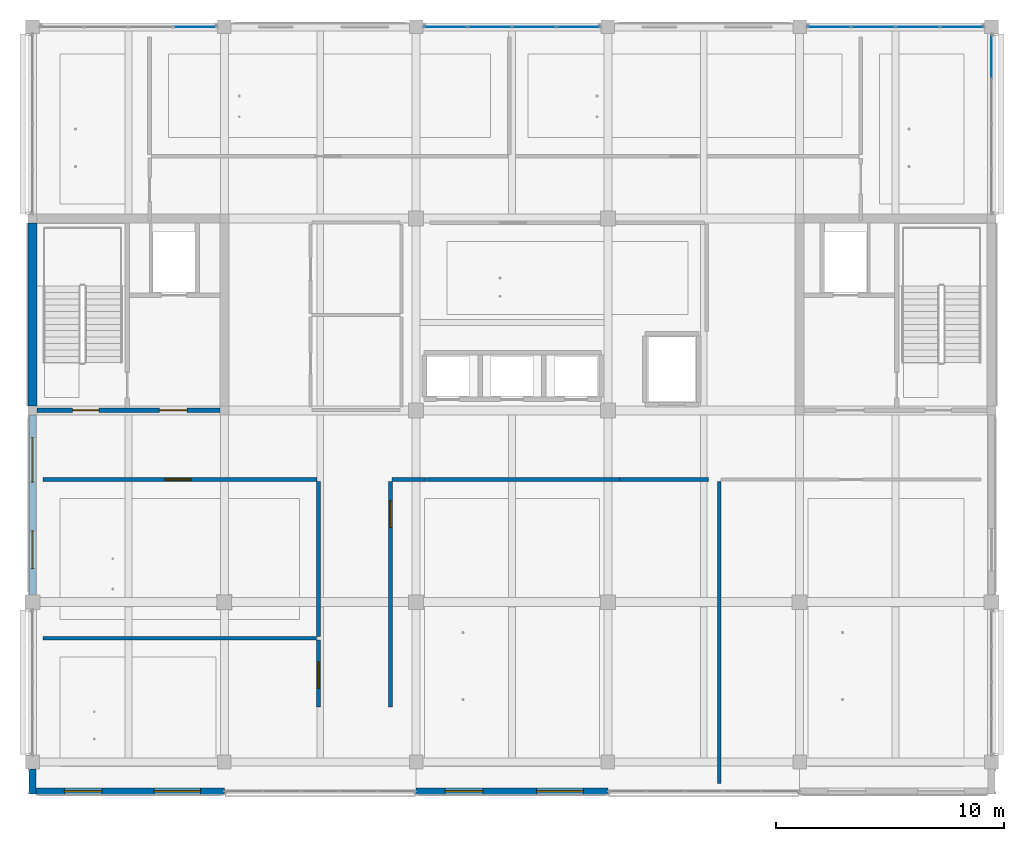
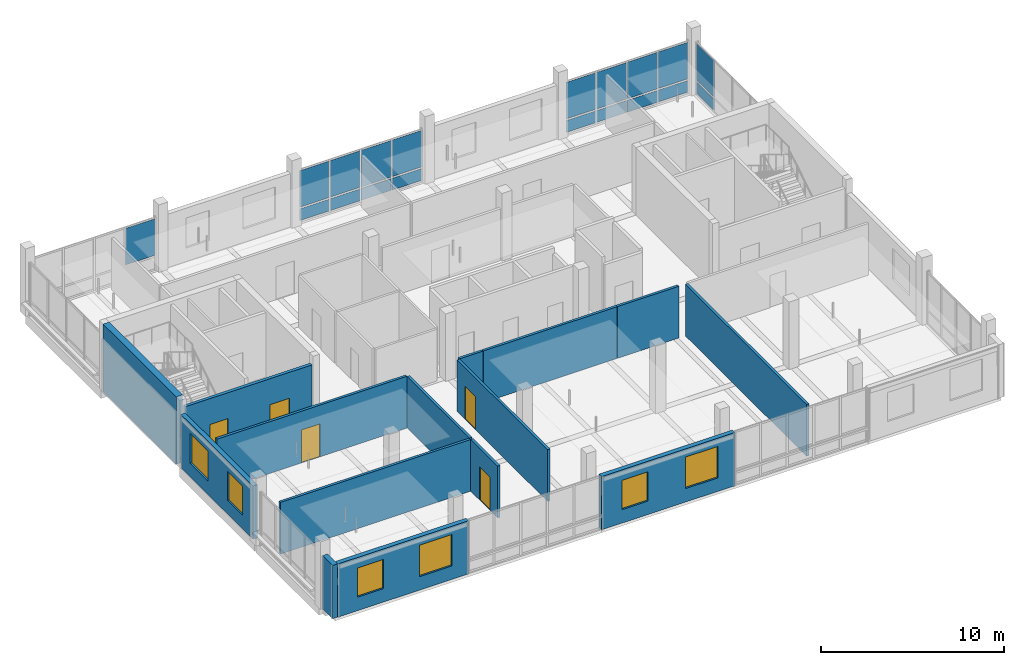
# One storey, part 11 of 30: 19 plates, 15 walls, 6 windows, 5 doors, 11 openings, 4 elements without a shape of their own.
"""IFC4 building model written with IfcOpenShell, lengths in metres."""

from ifc_helpers import new_model, si_unit, direction, frame, frame_2d, origin, origin_2d, place, context, subcontext, project, spatial, rectangle, extrude, material, layer, layer_set, type_object, element, fill, aggregate, save


model = new_model("IFC4")

# Units and contexts
model_context = context("Model", 3, precision=1e-05, world=origin(), true_north=direction((0.0, 1.0)))
body_context = subcontext(model_context, "Body", "Model", "MODEL_VIEW")
ifc_project = project(units=[si_unit("LENGTHUNIT", "METRE"), si_unit("AREAUNIT", "SQUARE_METRE"), si_unit("VOLUMEUNIT", "CUBIC_METRE"), si_unit("PLANEANGLEUNIT", "RADIAN"), si_unit("MASSUNIT", "GRAM", prefix="KILO")], contexts=[model_context])

# Site, building, storey
site_placement = place(None, origin())
site = spatial("IfcSite", under=ifc_project, at=site_placement, CompositionType="ELEMENT")
building_placement = place(site_placement, origin())
building = spatial("IfcBuilding", under=site, at=building_placement, Name="Telukmera Botanical Conservatory", CompositionType="ELEMENT")
storey_placement = place(building_placement, frame((0.0, 0.0, 60.0)))
storey = spatial("IfcBuildingStorey", under=building, at=storey_placement, Name="L13", CompositionType="ELEMENT", Elevation=60.0)

# Curtain wall, plate
ifc_material_1 = material(Name="Anodised aluminium 6063-T6", Category="aluminium")
ifc_layer_1 = layer(ifc_material_1, 0.179931640625)
ifc_layer_set_1 = layer_set([ifc_layer_1], Name="Anodised aluminium 6063-T6")
curtain_wall_type = type_object("IfcCurtainWallType", Name="Tower Research Laboratory Unitised Curtain Wall", PredefinedType="USERDEFINED", material=ifc_layer_set_1)
curtain_wall_1_placement = place(storey_placement, origin())
curtain_wall_1 = element("IfcCurtainWall", 1, at=curtain_wall_1_placement, inside=storey, type_object=curtain_wall_type, Name="Unitised Curtain Wall CW15 V4:L13:N1", ObjectType="UNITISED CURTAIN WALL", PredefinedType="USERDEFINED")
ifc_material_2 = material(Name="Spectrally selective low-E double glazing", Category="glass")
ifc_layer_2 = layer(ifc_material_2, 0.028076171875)
ifc_layer_set_2 = layer_set([ifc_layer_2], Name="Spectrally selective low-E double glazing")
plate_type = type_object("IfcPlateType", Name="Spectrally Selective Vision Double Glazing Panel 28", PredefinedType="CURTAIN_PANEL", material=ifc_layer_set_2)
plate_1_placement = place(storey_placement, frame((65.908447265625, 42.800048828125, 1.0048828125), z_axis=(0.0, 0.0, 1.0), x_axis=(1.0, 0.0, 0.0)))
plate_1 = element("IfcPlate", 2, at=plate_1_placement, type_object=plate_type, Name="CW15 panel 4.2", PredefinedType="CURTAIN_PANEL", context=body_context, shape_type="SweptSolid", body=[
    extrude(rectangle(XDim=1.85888671875, YDim=0.028076171875, at=origin_2d()), origin(), (0.0, 0.0, 1.0), 2.43505859375),
])
aggregate(curtain_wall_1, [plate_1])

# Curtain wall, plates
curtain_wall_2_placement = place(storey_placement, origin())
curtain_wall_2 = element("IfcCurtainWall", 3, at=curtain_wall_2_placement, inside=storey, type_object=curtain_wall_type, Name="Unitised Curtain Wall CW15 V4:L13:N3", ObjectType="UNITISED CURTAIN WALL", PredefinedType="USERDEFINED")
plate_2_placement = place(storey_placement, frame((76.8916015625, 42.800048828125, 0.10986328125), z_axis=(0.0, 0.0, 1.0), x_axis=(1.0, 0.0, 0.0)))
plate_2 = element("IfcPlate", 4, at=plate_2_placement, type_object=plate_type, Name="CW15 panel 1.1", PredefinedType="CURTAIN_PANEL", context=body_context, shape_type="SweptSolid", body=[
    extrude(rectangle(XDim=1.85888671875, YDim=0.028076171875, at=origin_2d()), origin(), (0.0, 0.0, 1.0), 0.784912109375),
])
plate_3_placement = place(storey_placement, frame((76.8916015625, 42.800048828125, 1.0048828125), z_axis=(0.0, 0.0, 1.0), x_axis=(1.0, 0.0, 0.0)))
plate_3 = element("IfcPlate", 5, at=plate_3_placement, type_object=plate_type, Name="CW15 panel 1.2", PredefinedType="CURTAIN_PANEL", context=body_context, shape_type="SweptSolid", body=[
    extrude(rectangle(XDim=1.85888671875, YDim=0.028076171875, at=origin_2d()), origin(), (0.0, 0.0, 1.0), 2.43505859375),
])
plate_4_placement = place(storey_placement, frame((78.825439453125, 42.800048828125, 0.10986328125), z_axis=(0.0, 0.0, 1.0), x_axis=(1.0, 0.0, 0.0)))
plate_4 = element("IfcPlate", 6, at=plate_4_placement, type_object=plate_type, Name="CW15 panel 2.1", PredefinedType="CURTAIN_PANEL", context=body_context, shape_type="SweptSolid", body=[
    extrude(rectangle(XDim=1.888916015625, YDim=0.028076171875, at=origin_2d()), origin(), (0.0, 0.0, 1.0), 0.784912109375),
])
plate_5_placement = place(storey_placement, frame((78.825439453125, 42.800048828125, 1.0048828125), z_axis=(0.0, 0.0, 1.0), x_axis=(1.0, 0.0, 0.0)))
plate_5 = element("IfcPlate", 7, at=plate_5_placement, type_object=plate_type, Name="CW15 panel 2.2", PredefinedType="CURTAIN_PANEL", context=body_context, shape_type="SweptSolid", body=[
    extrude(rectangle(XDim=1.888916015625, YDim=0.028076171875, at=origin_2d()), origin(), (0.0, 0.0, 1.0), 2.43505859375),
])
plate_6_placement = place(storey_placement, frame((80.7744140625, 42.800048828125, 0.10986328125), z_axis=(0.0, 0.0, 1.0), x_axis=(1.0, 0.0, 0.0)))
plate_6 = element("IfcPlate", 8, at=plate_6_placement, type_object=plate_type, Name="CW15 panel 3.1", PredefinedType="CURTAIN_PANEL", context=body_context, shape_type="SweptSolid", body=[
    extrude(rectangle(XDim=1.888916015625, YDim=0.028076171875, at=origin_2d()), origin(), (0.0, 0.0, 1.0), 0.784912109375),
])
plate_7_placement = place(storey_placement, frame((80.7744140625, 42.800048828125, 1.0048828125), z_axis=(0.0, 0.0, 1.0), x_axis=(1.0, 0.0, 0.0)))
plate_7 = element("IfcPlate", 9, at=plate_7_placement, type_object=plate_type, Name="CW15 panel 3.2", PredefinedType="CURTAIN_PANEL", context=body_context, shape_type="SweptSolid", body=[
    extrude(rectangle(XDim=1.888916015625, YDim=0.028076171875, at=origin_2d()), origin(), (0.0, 0.0, 1.0), 2.43505859375),
])
plate_8_placement = place(storey_placement, frame((82.70849609375, 42.800048828125, 0.10986328125), z_axis=(0.0, 0.0, 1.0), x_axis=(1.0, 0.0, 0.0)))
plate_8 = element("IfcPlate", 10, at=plate_8_placement, type_object=plate_type, Name="CW15 panel 4.1", PredefinedType="CURTAIN_PANEL", context=body_context, shape_type="SweptSolid", body=[
    extrude(rectangle(XDim=1.85888671875, YDim=0.028076171875, at=origin_2d()), origin(), (0.0, 0.0, 1.0), 0.784912109375),
])
plate_9_placement = place(storey_placement, frame((82.70849609375, 42.800048828125, 1.0048828125), z_axis=(0.0, 0.0, 1.0), x_axis=(1.0, 0.0, 0.0)))
plate_9 = element("IfcPlate", 11, at=plate_9_placement, type_object=plate_type, Name="CW15 panel 4.2", PredefinedType="CURTAIN_PANEL", context=body_context, shape_type="SweptSolid", body=[
    extrude(rectangle(XDim=1.85888671875, YDim=0.028076171875, at=origin_2d()), origin(), (0.0, 0.0, 1.0), 2.43505859375),
])
aggregate(curtain_wall_2, [plate_2, plate_3, plate_4, plate_5, plate_6, plate_7, plate_8, plate_9])

curtain_wall_3_placement = place(storey_placement, origin())
curtain_wall_3 = element("IfcCurtainWall", 12, at=curtain_wall_3_placement, inside=storey, type_object=curtain_wall_type, Name="Unitised Curtain Wall CW15 V4:L13:N5", ObjectType="UNITISED CURTAIN WALL", PredefinedType="USERDEFINED")
plate_10_placement = place(storey_placement, frame((93.69140625, 42.800048828125, 0.10986328125), z_axis=(0.0, 0.0, 1.0), x_axis=(1.0, 0.0, 0.0)))
plate_10 = element("IfcPlate", 13, at=plate_10_placement, type_object=plate_type, Name="CW15 panel 1.1", PredefinedType="CURTAIN_PANEL", context=body_context, shape_type="SweptSolid", body=[
    extrude(rectangle(XDim=1.85888671875, YDim=0.028076171875, at=origin_2d()), origin(), (0.0, 0.0, 1.0), 0.784912109375),
])
plate_11_placement = place(storey_placement, frame((93.69140625, 42.800048828125, 1.0048828125), z_axis=(0.0, 0.0, 1.0), x_axis=(1.0, 0.0, 0.0)))
plate_11 = element("IfcPlate", 14, at=plate_11_placement, type_object=plate_type, Name="CW15 panel 1.2", PredefinedType="CURTAIN_PANEL", context=body_context, shape_type="SweptSolid", body=[
    extrude(rectangle(XDim=1.85888671875, YDim=0.028076171875, at=origin_2d()), origin(), (0.0, 0.0, 1.0), 2.43505859375),
])
plate_12_placement = place(storey_placement, frame((95.62548828125, 42.800048828125, 0.10986328125), z_axis=(0.0, 0.0, 1.0), x_axis=(1.0, 0.0, 0.0)))
plate_12 = element("IfcPlate", 15, at=plate_12_placement, type_object=plate_type, Name="CW15 panel 2.1", PredefinedType="CURTAIN_PANEL", context=body_context, shape_type="SweptSolid", body=[
    extrude(rectangle(XDim=1.888916015625, YDim=0.028076171875, at=origin_2d()), origin(), (0.0, 0.0, 1.0), 0.784912109375),
])
plate_13_placement = place(storey_placement, frame((95.62548828125, 42.800048828125, 1.0048828125), z_axis=(0.0, 0.0, 1.0), x_axis=(1.0, 0.0, 0.0)))
plate_13 = element("IfcPlate", 16, at=plate_13_placement, type_object=plate_type, Name="CW15 panel 2.2", PredefinedType="CURTAIN_PANEL", context=body_context, shape_type="SweptSolid", body=[
    extrude(rectangle(XDim=1.888916015625, YDim=0.028076171875, at=origin_2d()), origin(), (0.0, 0.0, 1.0), 2.43505859375),
])
plate_14_placement = place(storey_placement, frame((97.574462890625, 42.800048828125, 0.10986328125), z_axis=(0.0, 0.0, 1.0), x_axis=(1.0, 0.0, 0.0)))
plate_14 = element("IfcPlate", 17, at=plate_14_placement, type_object=plate_type, Name="CW15 panel 3.1", PredefinedType="CURTAIN_PANEL", context=body_context, shape_type="SweptSolid", body=[
    extrude(rectangle(XDim=1.888916015625, YDim=0.028076171875, at=origin_2d()), origin(), (0.0, 0.0, 1.0), 0.784912109375),
])
plate_15_placement = place(storey_placement, frame((97.574462890625, 42.800048828125, 1.0048828125), z_axis=(0.0, 0.0, 1.0), x_axis=(1.0, 0.0, 0.0)))
plate_15 = element("IfcPlate", 18, at=plate_15_placement, type_object=plate_type, Name="CW15 panel 3.2", PredefinedType="CURTAIN_PANEL", context=body_context, shape_type="SweptSolid", body=[
    extrude(rectangle(XDim=1.888916015625, YDim=0.028076171875, at=origin_2d()), origin(), (0.0, 0.0, 1.0), 2.43505859375),
])
plate_16_placement = place(storey_placement, frame((99.508544921875, 42.800048828125, 0.10986328125), z_axis=(0.0, 0.0, 1.0), x_axis=(1.0, 0.0, 0.0)))
plate_16 = element("IfcPlate", 19, at=plate_16_placement, type_object=plate_type, Name="CW15 panel 4.1", PredefinedType="CURTAIN_PANEL", context=body_context, shape_type="SweptSolid", body=[
    extrude(rectangle(XDim=1.85888671875, YDim=0.028076171875, at=origin_2d()), origin(), (0.0, 0.0, 1.0), 0.784912109375),
])
plate_17_placement = place(storey_placement, frame((99.508544921875, 42.800048828125, 1.0048828125), z_axis=(0.0, 0.0, 1.0), x_axis=(1.0, 0.0, 0.0)))
plate_17 = element("IfcPlate", 20, at=plate_17_placement, type_object=plate_type, Name="CW15 panel 4.2", PredefinedType="CURTAIN_PANEL", context=body_context, shape_type="SweptSolid", body=[
    extrude(rectangle(XDim=1.85888671875, YDim=0.028076171875, at=origin_2d()), origin(), (0.0, 0.0, 1.0), 2.43505859375),
])
aggregate(curtain_wall_3, [plate_10, plate_11, plate_12, plate_13, plate_14, plate_15, plate_16, plate_17])

curtain_wall_4_placement = place(storey_placement, origin())
curtain_wall_4 = element("IfcCurtainWall", 21, at=curtain_wall_4_placement, inside=storey, type_object=curtain_wall_type, Name="Unitised Curtain Wall CW15 V4:L13:E4", ObjectType="UNITISED CURTAIN WALL", PredefinedType="USERDEFINED")
plate_18_placement = place(storey_placement, frame((100.800048828125, 41.49609375, 0.10986328125), z_axis=(0.0, 0.0, 1.0), x_axis=(0.0, 1.0, 0.0)))
plate_18 = element("IfcPlate", 22, at=plate_18_placement, type_object=plate_type, Name="CW15 panel 4.1", PredefinedType="CURTAIN_PANEL", context=body_context, shape_type="SweptSolid", body=[
    extrude(rectangle(XDim=1.884033203125, YDim=0.028076171875, at=origin_2d()), origin(), (0.0, 0.0, 1.0), 0.784912109375),
])
plate_19_placement = place(storey_placement, frame((100.800048828125, 41.49609375, 1.0048828125), z_axis=(0.0, 0.0, 1.0), x_axis=(0.0, 1.0, 0.0)))
plate_19 = element("IfcPlate", 23, at=plate_19_placement, type_object=plate_type, Name="CW15 panel 4.2", PredefinedType="CURTAIN_PANEL", context=body_context, shape_type="SweptSolid", body=[
    extrude(rectangle(XDim=1.884033203125, YDim=0.028076171875, at=origin_2d()), origin(), (0.0, 0.0, 1.0), 2.43505859375),
])
aggregate(curtain_wall_4, [plate_18, plate_19])

# Wall, openings, windows
ifc_material_3 = material(Name="Precast concrete C40/50", Category="concrete")
ifc_layer_3 = layer(ifc_material_3, 0.280029296875)
ifc_layer_set_3 = layer_set([ifc_layer_3], Name="Precast concrete C40/50")
wall_type_1 = type_object("IfcWallType", Name="Exterior Laboratory Modular Precast Wall 280", PredefinedType="ELEMENTEDWALL", material=ifc_layer_set_3)
wall_1_placement = place(storey_placement, frame((58.951904296875, 9.320068359375, 0.0), z_axis=(0.0, 0.0, 1.0), x_axis=(1.0, 0.0, 0.0)))
wall_1 = element("IfcWall", 24, at=wall_1_placement, inside=storey, type_object=wall_type_1, Name="Exterior Precast Wall EW06 V4:L13:S1", PredefinedType="ELEMENTEDWALL", context=body_context, shape_type="SweptSolid", body=[
    extrude(rectangle(XDim=8.24609375, YDim=0.280029296875, at=frame_2d((4.123046875, 0.0))), origin(), (0.0, 0.0, 1.0), 3.550048828125),
])
opening_1_placement = place(wall_1_placement, frame((1.236572265625, 0.0, 0.89990234375)))
opening_1 = element("IfcOpeningElement", 25, at=opening_1_placement, cuts=wall_1, Name="Opening W10", PredefinedType="OPENING", context=body_context, shape_type="SweptSolid", body=[
    extrude(rectangle(XDim=1.64990234375, YDim=1.949951171875, at=frame_2d((0.824951171875, 0.97509765625))), frame((0.0, 0.14990234375, 0.0), z_axis=(0.0, -1.0, 0.0), x_axis=(1.0, 0.0, 0.0)), (0.0, 0.0, 1.0), 0.300048828125),
])
opening_2_placement = place(wall_1_placement, frame((5.159423828125, 0.0, 0.89990234375)))
opening_2 = element("IfcOpeningElement", 26, at=opening_2_placement, cuts=wall_1, Name="Opening W14", PredefinedType="OPENING", context=body_context, shape_type="SweptSolid", body=[
    extrude(rectangle(XDim=2.050048828125, YDim=2.10009765625, at=frame_2d((1.02490234375, 1.050048828125))), frame((0.0, 0.14990234375, 0.0), z_axis=(0.0, -1.0, 0.0), x_axis=(1.0, 0.0, 0.0)), (0.0, 0.0, 1.0), 0.300048828125),
])
ifc_material_4 = material(Name="Thermally broken anodised aluminium frame with low-E double glazing", Category="aluminium")
window_type_1 = type_object("IfcWindowType", Name="Double Horizontal Phytochemistry Lab Window 1650x1950", PartitioningType="DOUBLE_PANEL_HORIZONTAL", PredefinedType="WINDOW", material=ifc_material_4)
window_1_placement = place(opening_1_placement, origin())
window_1 = element("IfcWindow", 27, at=window_1_placement, inside=storey, type_object=window_type_1, Name="Facade Window W10 V4:L13:S1 1", OverallHeight=1.949951171875, OverallWidth=1.64990234375, PartitioningType="DOUBLE_PANEL_HORIZONTAL", PredefinedType="WINDOW", context=body_context, shape_type="SweptSolid", body=[
    extrude(rectangle(XDim=1.64990234375, YDim=1.949951171875, at=frame_2d((0.824951171875, 0.97509765625))), frame((0.0, 0.030029296875, 0.0), z_axis=(0.0, -1.0, 0.0), x_axis=(1.0, 0.0, 0.0)), (0.0, 0.0, 1.0), 0.06005859375),
])
fill(opening_1, window_1)
window_type_2 = type_object("IfcWindowType", Name="Triple Vertical Microscopy Lab Window 2050x2100", PartitioningType="TRIPLE_PANEL_VERTICAL", PredefinedType="WINDOW", material=ifc_material_4)
window_2_placement = place(opening_2_placement, origin())
window_2 = element("IfcWindow", 28, at=window_2_placement, inside=storey, type_object=window_type_2, Name="Facade Window W14 V4:L13:S1 2", OverallHeight=2.10009765625, OverallWidth=2.050048828125, PartitioningType="TRIPLE_PANEL_VERTICAL", PredefinedType="WINDOW", context=body_context, shape_type="SweptSolid", body=[
    extrude(rectangle(XDim=2.050048828125, YDim=2.10009765625, at=frame_2d((1.02490234375, 1.050048828125))), frame((0.0, 0.030029296875, 0.0), z_axis=(0.0, -1.0, 0.0), x_axis=(1.0, 0.0, 0.0)), (0.0, 0.0, 1.0), 0.06005859375),
])
fill(opening_2, window_2)

wall_2_placement = place(storey_placement, frame((75.60205078125, 9.320068359375, 0.0), z_axis=(0.0, 0.0, 1.0), x_axis=(1.0, 0.0, 0.0)))
wall_2 = element("IfcWall", 29, at=wall_2_placement, inside=storey, type_object=wall_type_1, Name="Exterior Precast Wall EW06 V4:L13:S3", PredefinedType="ELEMENTEDWALL", context=body_context, shape_type="SweptSolid", body=[
    extrude(rectangle(XDim=8.39599609375, YDim=0.280029296875, at=frame_2d((4.197998046875, 0.0))), origin(), (0.0, 0.0, 1.0), 3.550048828125),
])
opening_3_placement = place(wall_2_placement, frame((1.27392578125, 0.0, 0.89990234375)))
opening_3 = element("IfcOpeningElement", 30, at=opening_3_placement, cuts=wall_2, Name="Opening W10", PredefinedType="OPENING", context=body_context, shape_type="SweptSolid", body=[
    extrude(rectangle(XDim=1.64990234375, YDim=1.949951171875, at=frame_2d((0.824951171875, 0.97509765625))), frame((0.0, 0.14990234375, 0.0), z_axis=(0.0, -1.0, 0.0), x_axis=(1.0, 0.0, 0.0)), (0.0, 0.0, 1.0), 0.300048828125),
])
opening_4_placement = place(wall_2_placement, frame((5.27197265625, 0.0, 0.89990234375)))
opening_4 = element("IfcOpeningElement", 31, at=opening_4_placement, cuts=wall_2, Name="Opening W14", PredefinedType="OPENING", context=body_context, shape_type="SweptSolid", body=[
    extrude(rectangle(XDim=2.050048828125, YDim=2.10009765625, at=frame_2d((1.02490234375, 1.050048828125))), frame((0.0, 0.14990234375, 0.0), z_axis=(0.0, -1.0, 0.0), x_axis=(1.0, 0.0, 0.0)), (0.0, 0.0, 1.0), 0.300048828125),
])
window_3_placement = place(opening_3_placement, origin())
window_3 = element("IfcWindow", 32, at=window_3_placement, inside=storey, type_object=window_type_1, Name="Facade Window W10 V4:L13:S3 1", OverallHeight=1.949951171875, OverallWidth=1.64990234375, PartitioningType="DOUBLE_PANEL_HORIZONTAL", PredefinedType="WINDOW", context=body_context, shape_type="SweptSolid", body=[
    extrude(rectangle(XDim=1.64990234375, YDim=1.949951171875, at=frame_2d((0.824951171875, 0.97509765625))), frame((0.0, 0.030029296875, 0.0), z_axis=(0.0, -1.0, 0.0), x_axis=(1.0, 0.0, 0.0)), (0.0, 0.0, 1.0), 0.06005859375),
])
fill(opening_3, window_3)
window_4_placement = place(opening_4_placement, origin())
window_4 = element("IfcWindow", 33, at=window_4_placement, inside=storey, type_object=window_type_2, Name="Facade Window W14 V4:L13:S3 2", OverallHeight=2.10009765625, OverallWidth=2.050048828125, PartitioningType="TRIPLE_PANEL_VERTICAL", PredefinedType="WINDOW", context=body_context, shape_type="SweptSolid", body=[
    extrude(rectangle(XDim=2.050048828125, YDim=2.10009765625, at=frame_2d((1.02490234375, 1.050048828125))), frame((0.0, 0.030029296875, 0.0), z_axis=(0.0, -1.0, 0.0), x_axis=(1.0, 0.0, 0.0)), (0.0, 0.0, 1.0), 0.06005859375),
])
fill(opening_4, window_4)

wall_3_placement = place(storey_placement, frame((58.800048828125, 17.927001953125, 0.0), z_axis=(0.0, 0.0, 1.0), x_axis=(0.0, 1.0, 0.0)))
wall_3 = element("IfcWall", 34, at=wall_3_placement, inside=storey, type_object=wall_type_1, Name="Exterior Precast Wall EW06 V4:L13:W2", PredefinedType="ELEMENTEDWALL", context=body_context, shape_type="SweptSolid", body=[
    extrude(rectangle(XDim=7.87109375, YDim=0.280029296875, at=frame_2d((3.935546875, 0.0))), origin(), (0.0, 0.0, 1.0), 3.550048828125),
])
opening_5_placement = place(wall_3_placement, frame((1.142578125, 0.0, 0.89990234375)))
opening_5 = element("IfcOpeningElement", 35, at=opening_5_placement, cuts=wall_3, Name="Opening W10", PredefinedType="OPENING", context=body_context, shape_type="SweptSolid", body=[
    extrude(rectangle(XDim=1.64990234375, YDim=1.949951171875, at=frame_2d((0.824951171875, 0.97509765625))), frame((0.0, 0.14990234375, 0.0), z_axis=(0.0, -1.0, 0.0), x_axis=(1.0, 0.0, 0.0)), (0.0, 0.0, 1.0), 0.300048828125),
])
opening_6_placement = place(wall_3_placement, frame((4.92822265625, 0.0, 0.89990234375)))
opening_6 = element("IfcOpeningElement", 36, at=opening_6_placement, cuts=wall_3, Name="Opening W13", PredefinedType="OPENING", context=body_context, shape_type="SweptSolid", body=[
    extrude(rectangle(XDim=1.949951171875, YDim=2.0, at=frame_2d((0.97509765625, 1.0))), frame((0.0, 0.14990234375, 0.0), z_axis=(0.0, -1.0, 0.0), x_axis=(1.0, 0.0, 0.0)), (0.0, 0.0, 1.0), 0.300048828125),
])
window_5_placement = place(opening_5_placement, origin())
window_5 = element("IfcWindow", 37, at=window_5_placement, inside=storey, type_object=window_type_1, Name="Facade Window W10 V4:L13:W2 1", OverallHeight=1.949951171875, OverallWidth=1.64990234375, PartitioningType="DOUBLE_PANEL_HORIZONTAL", PredefinedType="WINDOW", context=body_context, shape_type="SweptSolid", body=[
    extrude(rectangle(XDim=1.64990234375, YDim=1.949951171875, at=frame_2d((0.824951171875, 0.97509765625))), frame((0.0, 0.030029296875, 0.0), z_axis=(0.0, -1.0, 0.0), x_axis=(1.0, 0.0, 0.0)), (0.0, 0.0, 1.0), 0.06005859375),
])
fill(opening_5, window_5)
window_type_3 = type_object("IfcWindowType", Name="Triple Vertical Tissue Culture Lab Window 1950x2000", PartitioningType="TRIPLE_PANEL_VERTICAL", PredefinedType="WINDOW", material=ifc_material_4)
window_6_placement = place(opening_6_placement, origin())
window_6 = element("IfcWindow", 38, at=window_6_placement, inside=storey, type_object=window_type_3, Name="Facade Window W13 V4:L13:W2 2", OverallHeight=2.0, OverallWidth=1.949951171875, PartitioningType="TRIPLE_PANEL_VERTICAL", PredefinedType="WINDOW", context=body_context, shape_type="SweptSolid", body=[
    extrude(rectangle(XDim=1.949951171875, YDim=2.0, at=frame_2d((0.97509765625, 1.0))), frame((0.0, 0.030029296875, 0.0), z_axis=(0.0, -1.0, 0.0), x_axis=(1.0, 0.0, 0.0)), (0.0, 0.0, 1.0), 0.06005859375),
])
fill(opening_6, window_6)

# Wall
ifc_material_5 = material(Name="Terracotta-faced precast concrete C40/50", Category="masonry")
ifc_layer_4 = layer(ifc_material_5, 0.300048828125)
ifc_layer_set_4 = layer_set([ifc_layer_4], Name="Terracotta-faced precast concrete C40/50")
wall_type_2 = type_object("IfcWallType", Name="Exterior Polychrome Terracotta Precast Wall 300", PredefinedType="SOLIDWALL", material=ifc_layer_set_4)
wall_4_placement = place(storey_placement, frame((58.800048828125, 9.199951171875, 0.0), z_axis=(0.0, 0.0, 1.0), x_axis=(0.0, 1.0, 0.0)))
element("IfcWall", 39, at=wall_4_placement, inside=storey, type_object=wall_type_2, Name="Exterior Precast Wall EW02 V4:L13:SWC", PredefinedType="SOLIDWALL", context=body_context, shape_type="SweptSolid", body=[
    extrude(rectangle(XDim=1.09814453125, YDim=0.300048828125, at=frame_2d((0.549072265625, 0.0))), origin(), (0.0, 0.0, 1.0), 3.550048828125),
])

# Wall, openings, doors
ifc_material_6 = material(Name="Concrete C40/50", Category="concrete")
ifc_layer_5 = layer(ifc_material_6, 0.199951171875)
ifc_layer_set_5 = layer_set([ifc_layer_5], Name="Concrete C40/50")
wall_type_3 = type_object("IfcWallType", Name="WT-CORE-200", PredefinedType="SOLIDWALL", material=ifc_layer_set_5)
wall_5_placement = place(storey_placement, frame((59.0, 26.0, 0.0), z_axis=(0.0, 0.0, 1.0), x_axis=(1.0, 0.0, 0.0)))
wall_5 = element("IfcWall", 40, at=wall_5_placement, inside=storey, type_object=wall_type_3, Name="L13 Core C1 South Fire Wall", PredefinedType="SOLIDWALL", context=body_context, shape_type="SweptSolid", body=[
    extrude(rectangle(XDim=8.0, YDim=0.199951171875, at=frame_2d((4.0, 0.0))), origin(), (0.0, 0.0, 1.0), 3.8798828125),
])
opening_7_placement = place(wall_5_placement, frame((1.550048828125, 0.0, 0.0)))
opening_7 = element("IfcOpeningElement", 41, at=opening_7_placement, cuts=wall_5, Name="Opening FD60A", PredefinedType="OPENING", context=body_context, shape_type="SweptSolid", body=[
    extrude(rectangle(XDim=1.14990234375, YDim=2.14990234375, at=frame_2d((0.574951171875, 1.074951171875))), frame((0.0, 0.10986328125, 0.0), z_axis=(0.0, -1.0, 0.0), x_axis=(1.0, 0.0, 0.0)), (0.0, 0.0, 1.0), 0.219970703125),
])
opening_8_placement = place(wall_5_placement, frame((5.35009765625, 0.0, 0.0)))
opening_8 = element("IfcOpeningElement", 42, at=opening_8_placement, cuts=wall_5, Name="Opening FD60C", PredefinedType="OPENING", context=body_context, shape_type="SweptSolid", body=[
    extrude(rectangle(XDim=1.219970703125, YDim=2.14990234375, at=frame_2d((0.60986328125, 1.074951171875))), frame((0.0, 0.10986328125, 0.0), z_axis=(0.0, -1.0, 0.0), x_axis=(1.0, 0.0, 0.0)), (0.0, 0.0, 1.0), 0.219970703125),
])
ifc_material_7 = material(Name="Hardwood fire door", Category="wood")
door_type_1 = type_object("IfcDoorType", Name="DT-FD60-01", OperationType="NOTDEFINED", PredefinedType="DOOR", material=ifc_material_7)
door_1_placement = place(opening_7_placement, origin())
door_1 = element("IfcDoor", 43, at=door_1_placement, inside=storey, type_object=door_type_1, Name="L13 Stair ST1 Escape Door", OperationType="SINGLE_SWING_RIGHT", OverallHeight=2.14990234375, OverallWidth=1.14990234375, PredefinedType="DOOR", context=body_context, shape_type="SweptSolid", body=[
    extrude(rectangle(XDim=1.14990234375, YDim=2.14990234375, at=frame_2d((0.574951171875, 1.074951171875))), frame((0.0, 0.02490234375, 0.0), z_axis=(0.0, -1.0, 0.0), x_axis=(1.0, 0.0, 0.0)), (0.0, 0.0, 1.0), 0.050048828125),
])
fill(opening_7, door_1)
door_type_2 = type_object("IfcDoorType", Name="DT-FD60-03", OperationType="NOTDEFINED", PredefinedType="DOOR", material=ifc_material_7)
door_2_placement = place(opening_8_placement, origin())
door_2 = element("IfcDoor", 44, at=door_2_placement, inside=storey, type_object=door_type_2, Name="L13 Firefighting Lobby C1 Door", OperationType="SINGLE_SWING_LEFT", OverallHeight=2.14990234375, OverallWidth=1.219970703125, PredefinedType="DOOR", context=body_context, shape_type="SweptSolid", body=[
    extrude(rectangle(XDim=1.219970703125, YDim=2.14990234375, at=frame_2d((0.60986328125, 1.074951171875))), frame((0.0, 0.02490234375, 0.0), z_axis=(0.0, -1.0, 0.0), x_axis=(1.0, 0.0, 0.0)), (0.0, 0.0, 1.0), 0.050048828125),
])
fill(opening_8, door_2)

# Walls
ifc_material_8 = material(Name="Gypsum acoustic stud partition")
ifc_layer_6 = layer(ifc_material_8, 0.159912109375)
ifc_layer_set_6 = layer_set([ifc_layer_6], Name="Gypsum acoustic stud partition")
wall_type_4 = type_object("IfcWallType", Name="WT-LAB-160", PredefinedType="PARTITIONING", material=ifc_layer_set_6)
wall_6_placement = place(storey_placement, frame((76.050048828125, 22.97509765625, 0.0), z_axis=(0.0, 0.0, 1.0), x_axis=(1.0, 0.0, 0.0)))
element("IfcWall", 45, at=wall_6_placement, inside=storey, type_object=wall_type_4, Name="L13 Interior Partition 09", PredefinedType="PARTITIONING", context=body_context, shape_type="SweptSolid", body=[
    extrude(rectangle(XDim=8.449951171875, YDim=0.159912109375, at=frame_2d((4.22509765625, 0.0))), origin(), (0.0, 0.0, 1.0), 3.449951171875),
])
wall_7_placement = place(storey_placement, frame((84.510009765625, 22.97509765625, 0.0), z_axis=(0.0, 0.0, 1.0), x_axis=(1.0, 0.0, 0.0)))
element("IfcWall", 46, at=wall_7_placement, inside=storey, type_object=wall_type_4, Name="L13 Interior Partition 10", PredefinedType="PARTITIONING", context=body_context, shape_type="SweptSolid", body=[
    extrude(rectangle(XDim=3.889892578125, YDim=0.159912109375, at=frame_2d((1.94482421875, 0.0))), origin(), (0.0, 0.0, 1.0), 3.449951171875),
])

# Wall, opening, door
wall_8_placement = place(storey_placement, frame((59.25, 22.97509765625, 0.0), z_axis=(0.0, 0.0, 1.0), x_axis=(1.0, 0.0, 0.0)))
wall_8 = element("IfcWall", 47, at=wall_8_placement, inside=storey, type_object=wall_type_4, Name="L13 Interior Partition 11", PredefinedType="PARTITIONING", context=body_context, shape_type="SweptSolid", body=[
    extrude(rectangle(XDim=12.0, YDim=0.159912109375, at=frame_2d((6.0, 0.0))), origin(), (0.0, 0.0, 1.0), 3.449951171875),
])
opening_9_placement = place(wall_8_placement, frame((5.34521484375, 0.0, 0.0)))
opening_9 = element("IfcOpeningElement", 48, at=opening_9_placement, cuts=wall_8, Name="Opening ID09", PredefinedType="OPENING", context=body_context, shape_type="SweptSolid", body=[
    extrude(rectangle(XDim=1.159912109375, YDim=2.199951171875, at=frame_2d((0.580078125, 1.10009765625))), frame((0.0, 0.08984375, 0.0), z_axis=(0.0, -1.0, 0.0), x_axis=(1.0, 0.0, 0.0)), (0.0, 0.0, 1.0), 0.179931640625),
])
ifc_material_9 = material(Name="Phenolic faced laboratory fire door")
door_type_3 = type_object("IfcDoorType", Name="DT-LAB-116", OperationType="NOTDEFINED", PredefinedType="DOOR", material=ifc_material_9)
door_3_placement = place(opening_9_placement, frame((1.159912109375, 0.0, 0.0), z_axis=(0.0, 0.0, 1.0), x_axis=(-1.0, 0.0, 0.0)))
door_3 = element("IfcDoor", 49, at=door_3_placement, inside=storey, type_object=door_type_3, Name="L13 Conservation Genetics Laboratory Door", OperationType="SINGLE_SWING_LEFT", OverallHeight=2.199951171875, OverallWidth=1.159912109375, PredefinedType="DOOR", context=body_context, shape_type="SweptSolid", body=[
    extrude(rectangle(XDim=1.159912109375, YDim=2.199951171875, at=frame_2d((0.580078125, 1.10009765625))), frame((0.0, 0.02490234375, 0.0), z_axis=(0.0, -1.0, 0.0), x_axis=(1.0, 0.0, 0.0)), (0.0, 0.0, 1.0), 0.050048828125),
])
fill(opening_9, door_3)

# Walls
wall_9_placement = place(storey_placement, frame((74.550048828125, 22.97509765625, 0.0), z_axis=(0.0, 0.0, 1.0), x_axis=(1.0, 0.0, 0.0)))
element("IfcWall", 50, at=wall_9_placement, inside=storey, type_object=wall_type_4, Name="L13 Interior Partition 12", PredefinedType="PARTITIONING", context=body_context, shape_type="SweptSolid", body=[
    extrude(rectangle(XDim=1.489990234375, YDim=0.159912109375, at=frame_2d((0.7451171875, 0.0))), origin(), (0.0, 0.0, 1.0), 3.449951171875),
])
wall_10_placement = place(storey_placement, frame((71.324951171875, 16.10009765625, 0.0), z_axis=(0.0, 0.0, 1.0), x_axis=(0.0, 1.0, 0.0)))
element("IfcWall", 51, at=wall_10_placement, inside=storey, type_object=wall_type_4, Name="L13 Interior Partition 14", PredefinedType="PARTITIONING", context=body_context, shape_type="SweptSolid", body=[
    extrude(rectangle(XDim=6.784912109375, YDim=0.159912109375, at=frame_2d((3.392578125, 0.0))), origin(), (0.0, 0.0, 1.0), 3.449951171875),
])

# Wall, opening, door
wall_11_placement = place(storey_placement, frame((71.324951171875, 13.0, 0.0), z_axis=(0.0, 0.0, 1.0), x_axis=(0.0, 1.0, 0.0)))
wall_11 = element("IfcWall", 52, at=wall_11_placement, inside=storey, type_object=wall_type_4, Name="L13 Interior Partition 15", PredefinedType="PARTITIONING", context=body_context, shape_type="SweptSolid", body=[
    extrude(rectangle(XDim=2.949951171875, YDim=0.159912109375, at=frame_2d((1.47509765625, 0.0))), origin(), (0.0, 0.0, 1.0), 3.449951171875),
])
opening_10_placement = place(wall_11_placement, frame((0.8232421875, 0.0, 0.0)))
opening_10 = element("IfcOpeningElement", 53, at=opening_10_placement, cuts=wall_11, Name="Opening ID09", PredefinedType="OPENING", context=body_context, shape_type="SweptSolid", body=[
    extrude(rectangle(XDim=1.159912109375, YDim=2.199951171875, at=frame_2d((0.580078125, 1.10009765625))), frame((0.0, 0.08984375, 0.0), z_axis=(0.0, -1.0, 0.0), x_axis=(1.0, 0.0, 0.0)), (0.0, 0.0, 1.0), 0.179931640625),
])
door_4_placement = place(opening_10_placement, origin())
door_4 = element("IfcDoor", 54, at=door_4_placement, inside=storey, type_object=door_type_3, Name="L13 Rainforest Phenology Laboratory Door", OperationType="SINGLE_SWING_RIGHT", OverallHeight=2.199951171875, OverallWidth=1.159912109375, PredefinedType="DOOR", context=body_context, shape_type="SweptSolid", body=[
    extrude(rectangle(XDim=1.159912109375, YDim=2.199951171875, at=frame_2d((0.580078125, 1.10009765625))), frame((0.0, 0.02490234375, 0.0), z_axis=(0.0, -1.0, 0.0), x_axis=(1.0, 0.0, 0.0)), (0.0, 0.0, 1.0), 0.050048828125),
])
fill(opening_10, door_4)

wall_12_placement = place(storey_placement, frame((74.47509765625, 13.0, 0.0), z_axis=(0.0, 0.0, 1.0), x_axis=(0.0, 1.0, 0.0)))
wall_12 = element("IfcWall", 55, at=wall_12_placement, inside=storey, type_object=wall_type_4, Name="L13 Interior Partition 16", PredefinedType="PARTITIONING", context=body_context, shape_type="SweptSolid", body=[
    extrude(rectangle(XDim=9.885009765625, YDim=0.159912109375, at=frame_2d((4.9423828125, 0.0))), origin(), (0.0, 0.0, 1.0), 3.449951171875),
])
opening_11_placement = place(wall_12_placement, frame((7.876708984375, 0.0, 0.0)))
opening_11 = element("IfcOpeningElement", 56, at=opening_11_placement, cuts=wall_12, Name="Opening ID09", PredefinedType="OPENING", context=body_context, shape_type="SweptSolid", body=[
    extrude(rectangle(XDim=1.159912109375, YDim=2.199951171875, at=frame_2d((0.580078125, 1.10009765625))), frame((0.0, 0.08984375, 0.0), z_axis=(0.0, -1.0, 0.0), x_axis=(1.0, 0.0, 0.0)), (0.0, 0.0, 1.0), 0.179931640625),
])
door_5_placement = place(opening_11_placement, frame((1.159912109375, 0.0, 0.0), z_axis=(0.0, 0.0, 1.0), x_axis=(-1.0, 0.0, 0.0)))
door_5 = element("IfcDoor", 57, at=door_5_placement, inside=storey, type_object=door_type_3, Name="L13 Restoration Ecology Research Laboratory Door", OperationType="SINGLE_SWING_LEFT", OverallHeight=2.199951171875, OverallWidth=1.159912109375, PredefinedType="DOOR", context=body_context, shape_type="SweptSolid", body=[
    extrude(rectangle(XDim=1.159912109375, YDim=2.199951171875, at=frame_2d((0.580078125, 1.10009765625))), frame((0.0, 0.02490234375, 0.0), z_axis=(0.0, -1.0, 0.0), x_axis=(1.0, 0.0, 0.0)), (0.0, 0.0, 1.0), 0.050048828125),
])
fill(opening_11, door_5)

# Walls
wall_13_placement = place(storey_placement, frame((59.25, 16.02490234375, 0.0), z_axis=(0.0, 0.0, 1.0), x_axis=(1.0, 0.0, 0.0)))
element("IfcWall", 58, at=wall_13_placement, inside=storey, type_object=wall_type_4, Name="L13 Interior Partition 17", PredefinedType="PARTITIONING", context=body_context, shape_type="SweptSolid", body=[
    extrude(rectangle(XDim=11.985107421875, YDim=0.159912109375, at=frame_2d((5.99267578125, 0.0))), origin(), (0.0, 0.0, 1.0), 3.449951171875),
])
wall_14_placement = place(storey_placement, frame((88.875, 9.64990234375, 0.0), z_axis=(0.0, 0.0, 1.0), x_axis=(0.0, 1.0, 0.0)))
element("IfcWall", 59, at=wall_14_placement, inside=storey, type_object=wall_type_4, Name="L13 Interior Partition 18", PredefinedType="PARTITIONING", context=body_context, shape_type="SweptSolid", body=[
    extrude(rectangle(XDim=13.239990234375, YDim=0.159912109375, at=frame_2d((6.6201171875, 0.0))), origin(), (0.0, 0.0, 1.0), 3.449951171875),
])
ifc_material_10 = material(Name="Concrete C50/60", Category="concrete")
ifc_layer_7 = layer(ifc_material_10, 0.39990234375)
ifc_layer_set_7 = layer_set([ifc_layer_7], Name="Concrete C50/60")
wall_type_5 = type_object("IfcWallType", Name="Wall_CW1", PredefinedType="SHEAR", material=ifc_layer_set_7)
wall_15_placement = place(storey_placement, frame((58.800048828125, 26.199951171875, 0.0), z_axis=(0.0, 0.0, 1.0), x_axis=(0.0, 1.0, 0.0)))
element("IfcWall", 60, at=wall_15_placement, inside=storey, type_object=wall_type_5, Name="Core C1 Shear Wall West L13", PredefinedType="SHEAR", context=body_context, shape_type="SweptSolid", body=[
    extrude(rectangle(XDim=8.0, YDim=0.39990234375, at=frame_2d((4.0, 0.0))), origin(), (0.0, 0.0, 1.0), 4.5),
])

save(model, "model.ifc")
